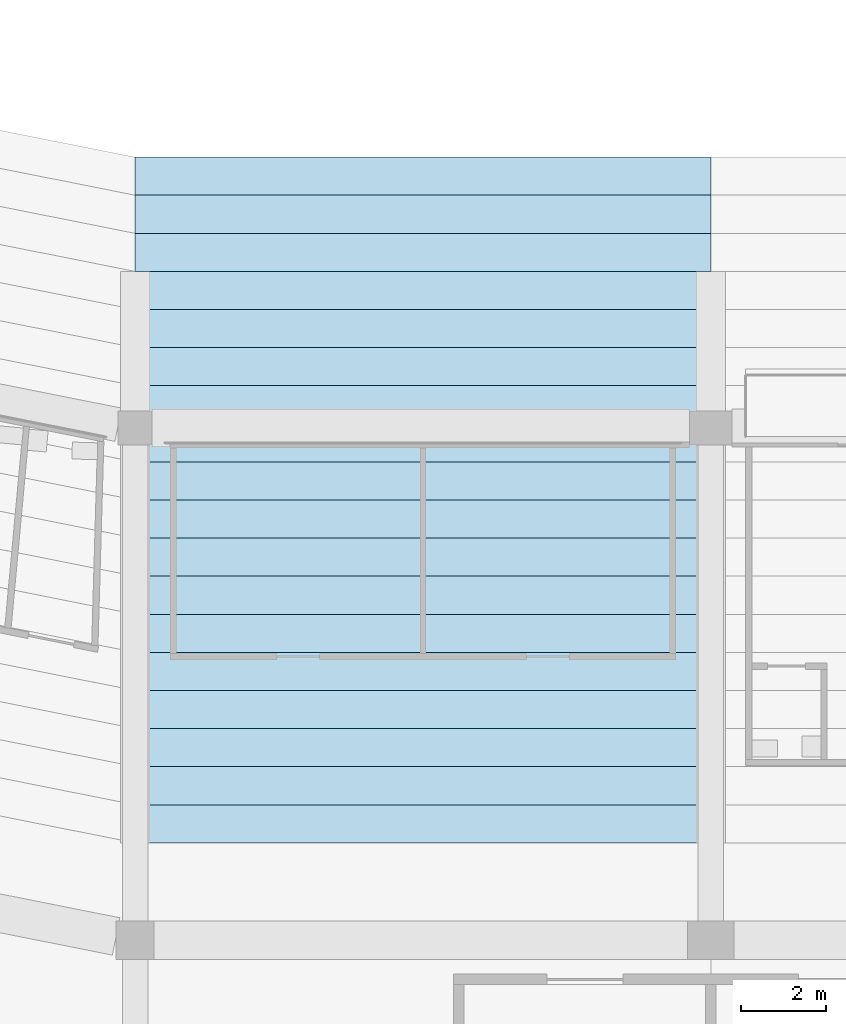
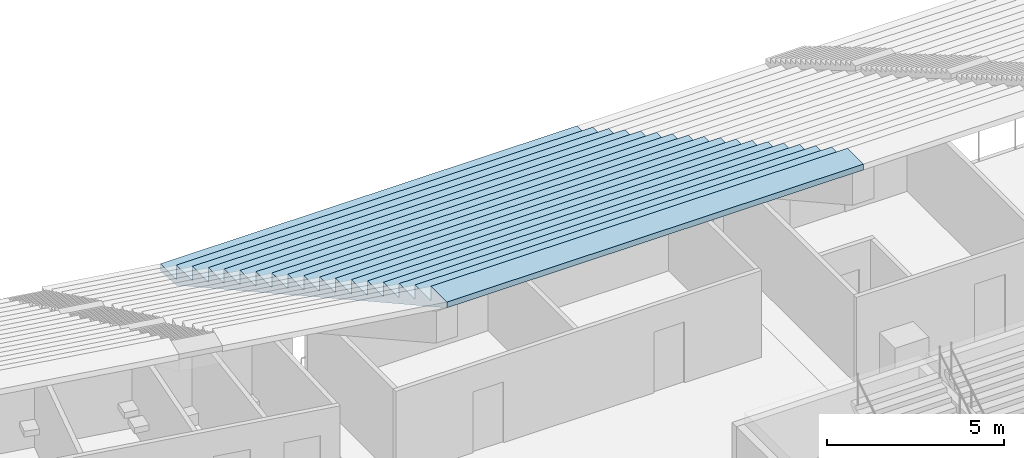
# One storey, part 115 of 249: 1 slab.
"""IFC4 building model written with IfcOpenShell, lengths in metres."""

import ifcopenshell
import ifcopenshell.guid

model = None  # the IFC model being written
_history = None  # IfcOwnerHistory: only IFC2X3 demands one
_inside = {}  # id of a spatial element -> (the spatial element, [elements in it])
_under = {}  # id of a project, library or spatial element -> (it, [spatial elements below it])
_declared = {}  # id of a project -> (the project, [libraries it declares])
_typed = {}  # id of a type object -> (the type object, [elements of that type])
_made_of = {}  # id of a material, layer set ... -> (it, [elements and type objects made of it])


def new_model(schema):
    """Start an empty IFC model of exactly this schema.

    Asked for "IFC4X3", IfcOpenShell would pick the latest addendum, in which some entities
    have other attributes; the version numbers below select the first issue.
    IFC2X3 requires an IfcOwnerHistory on every rooted entity: one is made here for all.
    """
    global model, _history
    if schema == "IFC4X3":
        model = ifcopenshell.file(schema_version=(4, 3, 0, 0))
    else:
        model = ifcopenshell.file(schema=schema)
    _inside.clear()
    _under.clear()
    _declared.clear()
    _typed.clear()
    _made_of.clear()
    _history = None
    if model.schema == "IFC2X3":
        org = make("IfcOrganization", Name="unknown")
        user = make(
            "IfcPersonAndOrganization",
            ThePerson=make("IfcPerson", FamilyName="unknown"),
            TheOrganization=org,
        )
        app = make(
            "IfcApplication",
            ApplicationDeveloper=org,
            Version="unknown",
            ApplicationFullName="unknown",
            ApplicationIdentifier="unknown",
        )
        _history = make(
            "IfcOwnerHistory",
            OwningUser=user,
            OwningApplication=app,
            ChangeAction="ADDED",
            CreationDate=0,
        )
    return model


def make(cls, **values):
    """One entity of the class cls with the attributes given. An attribute that is None is left unset."""
    return model.create_entity(
        cls, **{name: value for name, value in values.items() if value is not None}
    )


def rooted(cls, **values):
    """An entity with a GlobalId (a new one), such as an element, a storey or a relation."""
    return make(cls, GlobalId=ifcopenshell.guid.new(), OwnerHistory=_history, **values)


def si_unit(unit_type, name, prefix=None):
    """IfcSIUnit, for example si_unit("LENGTHUNIT", "METRE", prefix="MILLI")."""
    return make("IfcSIUnit", UnitType=unit_type, Prefix=prefix, Name=name)


def assignment(units):
    """IfcUnitAssignment: the units of a project."""
    return None if units is None else make("IfcUnitAssignment", Units=units)


def point(xyz):
    """IfcCartesianPoint."""
    return None if xyz is None else make("IfcCartesianPoint", Coordinates=xyz)


def direction(xyz):
    """IfcDirection."""
    return None if xyz is None else make("IfcDirection", DirectionRatios=xyz)


def frame(location, z_axis=None, x_axis=None):
    """IfcAxis2Placement3D, a coordinate frame: its origin and axes. An axis left out is left unset."""
    return make(
        "IfcAxis2Placement3D",
        Location=point(location),
        Axis=direction(z_axis),
        RefDirection=direction(x_axis),
    )


def origin():
    """The frame at (0, 0, 0) with its axes left unset."""
    return frame((0.0, 0.0, 0.0))


def place(relative_to, where):
    """IfcLocalPlacement: puts the frame where relative to a parent placement (None: the world)."""
    return make(
        "IfcLocalPlacement", PlacementRelTo=relative_to, RelativePlacement=where
    )


def context(
    kind, dimensions, precision=None, world=None, true_north=None, identifier=None
):
    """IfcGeometricRepresentationContext, for example the 3D "Model" context."""
    return make(
        "IfcGeometricRepresentationContext",
        ContextIdentifier=identifier,
        ContextType=kind,
        CoordinateSpaceDimension=dimensions,
        Precision=precision,
        WorldCoordinateSystem=world,
        TrueNorth=true_north,
    )


def subcontext(parent, identifier, kind, view, scale=None):
    """IfcGeometricRepresentationSubContext, for example "Body" below "Model"."""
    return make(
        "IfcGeometricRepresentationSubContext",
        ContextIdentifier=identifier,
        ContextType=kind,
        ParentContext=parent,
        TargetScale=scale,
        TargetView=view,
    )


def project(units=None, contexts=None):
    """IfcProject with its units and contexts."""
    return rooted(
        "IfcProject",
        Name="project",
        RepresentationContexts=contexts,
        UnitsInContext=assignment(units),
    )


def spatial(cls, under=None, at=None, **own):
    """A site, building, storey or space (cls), placed at a placement, below another one or the project."""
    s = rooted(cls, ObjectPlacement=at, **own)
    if under is not None:
        _under.setdefault(under.id(), (under, []))[1].append(s)
    return s


def faces_of(points, faces, orient=None, outer=None):
    """IfcFace entities. A face is a list of loops; a loop is a list of indices into points, from 0.

    orient and outer hold one flag for each loop. By default every Orientation is true, the
    first loop of a face is its IfcFaceOuterBound and the others are IfcFaceBound.
    """
    made = []
    for i, loops in enumerate(faces):
        bounds = []
        for j, loop in enumerate(loops):
            is_outer = j == 0 if outer is None else outer[i][j]
            bounds.append(
                make(
                    "IfcFaceOuterBound" if is_outer else "IfcFaceBound",
                    Bound=make("IfcPolyLoop", Polygon=[points[k] for k in loop]),
                    Orientation=True if orient is None else orient[i][j],
                )
            )
        made.append(make("IfcFace", Bounds=bounds))
    return made


def faceted_brep(points, faces, orient=None, outer=None, voids=None):
    """IfcFacetedBrep: a solid bounded by flat faces; with voids (closed shells), ...WithVoids."""
    shared = [point(p) for p in points]
    hull = make("IfcClosedShell", CfsFaces=faces_of(shared, faces, orient, outer))
    if voids is None:
        return make("IfcFacetedBrep", Outer=hull)
    return make(
        "IfcFacetedBrepWithVoids",
        Outer=hull,
        Voids=[
            make(cls, CfsFaces=faces_of(shared, fs, o, b)) for cls, fs, o, b in voids
        ],
    )


def shape(context_of_items, identifier, shape_type, items):
    """IfcShapeRepresentation: the items that make up one representation, for example the "Body"."""
    return make(
        "IfcShapeRepresentation",
        ContextOfItems=context_of_items,
        RepresentationIdentifier=identifier,
        RepresentationType=shape_type,
        Items=items,
    )


def material(Name=None, Category=None):
    """IfcMaterial."""
    return make("IfcMaterial", Name=Name, Category=Category)


def layer(
    of_material, thickness, ventilated=None, Name=None, Category=None, Priority=None
):
    """IfcMaterialLayer: one layer of a wall or slab, of a material (None: an air gap)."""
    return make(
        "IfcMaterialLayer",
        Material=of_material,
        LayerThickness=thickness,
        IsVentilated=ventilated,
        Name=Name,
        Category=Category,
        Priority=Priority,
    )


def layer_set(layers, Name=None):
    """IfcMaterialLayerSet."""
    return make("IfcMaterialLayerSet", MaterialLayers=layers, LayerSetName=Name)


def made_of(thing, what):
    """Note that an element or type object is made of a material, layer set ...; save() writes the relation."""
    if what is not None:
        _made_of.setdefault(what.id(), (what, []))[1].append(thing)
    return thing


def type_object(cls, material=None, **own):
    """A type object (cls), such as IfcWallType, which elements share."""
    return made_of(rooted(cls, **own), material)


def element(
    cls,
    number,
    at=None,
    inside=None,
    cuts=None,
    type_object=None,
    material=None,
    context=None,
    identifier="Body",
    shape_type=None,
    held_by="IfcProductDefinitionShape",
    body=None,
    shapes=None,
    **own,
):
    """One element of the class cls, such as IfcWall. Its Tag is "e" and its number.

    at: its placement. inside: the storey or other place that contains it. cuts: it is an
    opening in that element (IfcRelVoidsElement). A single representation is given by context,
    identifier, shape_type and body (its items); several are given by shapes. held_by: the class
    of the entity that holds the representations. save() writes the other relations.
    """
    e = rooted(cls, Tag="e%d" % number, ObjectPlacement=at, **own)
    if body is not None:
        shapes = [shape(context, identifier, shape_type, body)]
    if shapes is not None:
        e.Representation = make(held_by, Representations=shapes)
    if inside is not None:
        _inside.setdefault(inside.id(), (inside, []))[1].append(e)
    if cuts is not None:
        rooted(
            "IfcRelVoidsElement", RelatingBuildingElement=cuts, RelatedOpeningElement=e
        )
    if type_object is not None:
        _typed.setdefault(type_object.id(), (type_object, []))[1].append(e)
    return made_of(e, material)


def aggregate(whole, parts):
    """IfcRelAggregates: a whole, such as a stair, and the parts it consists of."""
    return rooted("IfcRelAggregates", RelatingObject=whole, RelatedObjects=parts)


def save(model, path):
    """Write the relations noted so far, then the file.

    IfcRelAggregates (storeys below a building ...), IfcRelContainedInSpatialStructure (elements
    in a storey), IfcRelDefinesByType, IfcRelAssociatesMaterial and IfcRelDeclares: one each for
    every whole, place, type object, material and project.
    """
    for whole, parts in _under.values():
        aggregate(whole, parts)
    for where, things in _inside.values():
        rooted(
            "IfcRelContainedInSpatialStructure",
            RelatedElements=things,
            RelatingStructure=where,
        )
    for kind, things in _typed.values():
        rooted("IfcRelDefinesByType", RelatedObjects=things, RelatingType=kind)
    for what, things in _made_of.values():
        rooted("IfcRelAssociatesMaterial", RelatedObjects=things, RelatingMaterial=what)
    for by, libraries in _declared.values():
        rooted("IfcRelDeclares", RelatingContext=by, RelatedDefinitions=libraries)
    model.write(path)


model = new_model("IFC4")

# Units and contexts
model_context = context("Model", 3, precision=1e-05, world=origin(), true_north=direction((0.0, 1.0)))
body_context = subcontext(model_context, "Body", "Model", "MODEL_VIEW")
ifc_project = project(units=[si_unit("LENGTHUNIT", "METRE"), si_unit("AREAUNIT", "SQUARE_METRE"), si_unit("VOLUMEUNIT", "CUBIC_METRE"), si_unit("PLANEANGLEUNIT", "RADIAN"), si_unit("MASSUNIT", "GRAM", prefix="KILO")], contexts=[model_context])

# Site, building, storey
site_placement = place(None, origin())
site = spatial("IfcSite", under=ifc_project, at=site_placement, CompositionType="ELEMENT")
building_placement = place(site_placement, origin())
building = spatial("IfcBuilding", under=site, at=building_placement, Name="Ogive Plaza Stadium", CompositionType="ELEMENT")
storey_placement = place(building_placement, frame((0.0, 0.0, 13.5)))
storey = spatial("IfcBuildingStorey", under=building, at=storey_placement, Name="L03", CompositionType="ELEMENT", Elevation=13.5)

# Slab
ifc_material = material(Name="Concrete C45/55 precast", Category="concrete")
ifc_layer = layer(ifc_material, 0.699951171875)
ifc_layer_set = layer_set([ifc_layer], Name="Concrete C45/55 precast")
slab_type = type_object("IfcSlabType", Name="Seating tier UT 700", PredefinedType="USERDEFINED", material=ifc_layer_set)
slab_placement = place(storey_placement, origin())
element("IfcSlab", 1, at=slab_placement, inside=storey, type_object=slab_type, Name="Stand UT B16", ObjectType="SEATING TIER", PredefinedType="USERDEFINED", context=body_context, shape_type="Brep", body=[
    faceted_brep([(-34.0, -74.0, 0.5), (-34.0, -74.89990234375, 0.5), (-20.39990234375, -74.89990234375, 0.5), (-20.39990234375, -74.0, 0.5), (-34.0, -74.89990234375, 0.300048828125), (-20.39990234375, -74.0, 0.25), (-20.39990234375, -74.89990234375, 0.300048828125), (-34.0, -74.0, 0.25), (-20.39990234375, -74.89990234375, 1.0), (-34.0, -74.89990234375, 1.0), (-20.39990234375, -75.800048828125, 1.0), (-20.39990234375, -75.800048828125, 0.800048828125), (-20.39990234375, -75.800048828125, 1.5), (-20.39990234375, -76.699951171875, 1.5), (-20.39990234375, -76.699951171875, 1.300048828125), (-20.39990234375, -76.699951171875, 2.0), (-20.39990234375, -77.60009765625, 2.0), (-20.39990234375, -77.60009765625, 1.800048828125), (-20.39990234375, -77.60009765625, 2.5), (-20.39990234375, -78.5, 2.5), (-20.39990234375, -78.5, 2.300048828125), (-20.39990234375, -78.5, 3.0), (-20.39990234375, -79.39990234375, 3.0), (-20.39990234375, -79.39990234375, 2.800048828125), (-20.39990234375, -79.39990234375, 3.5), (-20.39990234375, -80.300048828125, 3.5), (-20.39990234375, -80.300048828125, 3.300048828125), (-20.39990234375, -80.300048828125, 4.0), (-20.39990234375, -81.199951171875, 4.0), (-20.39990234375, -81.199951171875, 3.800048828125), (-20.39990234375, -81.199951171875, 4.5), (-20.39990234375, -82.10009765625, 4.5), (-20.39990234375, -82.10009765625, 4.300048828125), (-20.39990234375, -82.10009765625, 5.0), (-20.39990234375, -83.0, 5.0), (-20.39990234375, -83.0, 4.800048828125), (-20.39990234375, -83.0, 5.5), (-20.39990234375, -83.89990234375, 5.5), (-20.39990234375, -83.89990234375, 5.300048828125), (-20.39990234375, -83.89990234375, 6.0), (-20.39990234375, -84.800048828125, 6.0), (-20.39990234375, -84.800048828125, 5.800048828125), (-20.39990234375, -84.800048828125, 6.5), (-20.39990234375, -85.699951171875, 6.5), (-20.39990234375, -85.699951171875, 6.300048828125), (-20.39990234375, -85.699951171875, 7.0), (-20.39990234375, -86.60009765625, 7.0), (-20.39990234375, -86.60009765625, 6.800048828125), (-20.39990234375, -86.60009765625, 7.5), (-20.39990234375, -87.5, 7.5), (-20.39990234375, -87.5, 7.300048828125), (-20.39990234375, -87.5, 8.0), (-20.39990234375, -88.39990234375, 8.0), (-20.39990234375, -88.39990234375, 7.800048828125), (-20.39990234375, -88.39990234375, 8.5), (-20.39990234375, -89.300048828125, 8.5), (-20.39990234375, -89.300048828125, 8.300048828125), (-20.39990234375, -89.300048828125, 9.0), (-20.39990234375, -90.199951171875, 9.0), (-20.39990234375, -90.199951171875, 8.800048828125), (-34.0, -75.800048828125, 1.0), (-34.0, -75.800048828125, 0.800048828125), (-34.0, -76.699951171875, 1.5), (-34.0, -75.800048828125, 1.5), (-34.0, -76.699951171875, 1.300048828125), (-34.0, -77.60009765625, 2.0), (-34.0, -76.699951171875, 2.0), (-34.0, -77.60009765625, 1.800048828125), (-34.0, -78.5, 2.5), (-34.0, -77.60009765625, 2.5), (-34.0, -78.5, 2.300048828125), (-34.0, -79.39990234375, 3.0), (-34.0, -78.5, 3.0), (-34.0, -79.39990234375, 2.800048828125), (-34.0, -80.300048828125, 3.5), (-34.0, -79.39990234375, 3.5), (-34.0, -80.300048828125, 3.300048828125), (-34.0, -81.199951171875, 4.0), (-34.0, -80.300048828125, 4.0), (-34.0, -81.199951171875, 3.800048828125), (-34.0, -82.10009765625, 4.5), (-34.0, -81.199951171875, 4.5), (-34.0, -82.10009765625, 4.300048828125), (-34.0, -83.0, 5.0), (-34.0, -82.10009765625, 5.0), (-34.0, -83.0, 4.800048828125), (-34.0, -83.89990234375, 5.5), (-34.0, -83.0, 5.5), (-34.0, -83.89990234375, 5.300048828125), (-34.0, -84.800048828125, 6.0), (-34.0, -83.89990234375, 6.0), (-34.0, -84.800048828125, 5.800048828125), (-34.0, -85.699951171875, 6.5), (-34.0, -84.800048828125, 6.5), (-34.0, -85.699951171875, 6.300048828125), (-34.0, -86.60009765625, 7.0), (-34.0, -85.699951171875, 7.0), (-34.0, -86.60009765625, 6.800048828125), (-34.0, -87.5, 7.5), (-34.0, -86.60009765625, 7.5), (-34.0, -87.5, 7.300048828125), (-34.0, -88.39990234375, 8.0), (-34.0, -87.5, 8.0), (-34.0, -88.39990234375, 7.800048828125), (-34.0, -89.300048828125, 8.5), (-34.0, -88.39990234375, 8.5), (-34.0, -89.300048828125, 8.300048828125), (-34.0, -90.199951171875, 9.0), (-34.0, -89.300048828125, 9.0), (-34.0, -90.199951171875, 8.800048828125)], [[[0, 1, 2]], [[2, 3, 0]], [[4, 5, 6]], [[4, 7, 5]], [[8, 2, 1]], [[1, 9, 8]], [[6, 5, 3]], [[6, 3, 2]], [[2, 8, 10]], [[10, 11, 6]], [[6, 2, 10]], [[10, 12, 13]], [[13, 14, 11]], [[11, 10, 13]], [[13, 15, 16]], [[16, 17, 14]], [[14, 13, 16]], [[16, 18, 19]], [[19, 20, 17]], [[17, 16, 19]], [[19, 21, 22]], [[22, 23, 20]], [[20, 19, 22]], [[22, 24, 25]], [[25, 26, 23]], [[23, 22, 25]], [[25, 27, 28]], [[28, 29, 26]], [[26, 25, 28]], [[28, 30, 31]], [[31, 32, 29]], [[29, 28, 31]], [[31, 33, 34]], [[34, 35, 32]], [[32, 31, 34]], [[34, 36, 37]], [[37, 38, 35]], [[35, 34, 37]], [[37, 39, 40]], [[40, 41, 38]], [[38, 37, 40]], [[40, 42, 43]], [[43, 44, 41]], [[41, 40, 43]], [[43, 45, 46]], [[46, 47, 44]], [[44, 43, 46]], [[46, 48, 49]], [[49, 50, 47]], [[47, 46, 49]], [[49, 51, 52]], [[52, 53, 50]], [[50, 49, 52]], [[52, 54, 55]], [[55, 56, 53]], [[53, 52, 55]], [[55, 57, 58]], [[58, 59, 56]], [[56, 55, 58]], [[3, 5, 7]], [[7, 0, 3]], [[0, 7, 4]], [[4, 1, 0]], [[60, 9, 1]], [[1, 4, 61]], [[61, 60, 1]], [[62, 63, 60]], [[60, 61, 64]], [[64, 62, 60]], [[65, 66, 62]], [[62, 64, 67]], [[67, 65, 62]], [[68, 69, 65]], [[65, 67, 70]], [[70, 68, 65]], [[71, 72, 68]], [[68, 70, 73]], [[73, 71, 68]], [[74, 75, 71]], [[71, 73, 76]], [[76, 74, 71]], [[77, 78, 74]], [[74, 76, 79]], [[79, 77, 74]], [[80, 81, 77]], [[77, 79, 82]], [[82, 80, 77]], [[83, 84, 80]], [[80, 82, 85]], [[85, 83, 80]], [[86, 87, 83]], [[83, 85, 88]], [[88, 86, 83]], [[89, 90, 86]], [[86, 88, 91]], [[91, 89, 86]], [[92, 93, 89]], [[89, 91, 94]], [[94, 92, 89]], [[95, 96, 92]], [[92, 94, 97]], [[97, 95, 92]], [[98, 99, 95]], [[95, 97, 100]], [[100, 98, 95]], [[101, 102, 98]], [[98, 100, 103]], [[103, 101, 98]], [[104, 105, 101]], [[101, 103, 106]], [[106, 104, 101]], [[107, 108, 104]], [[104, 106, 109]], [[109, 107, 104]], [[9, 60, 10]], [[10, 8, 9]], [[61, 6, 11]], [[61, 4, 6]], [[64, 11, 14]], [[64, 61, 11]], [[67, 14, 17]], [[67, 64, 14]], [[70, 17, 20]], [[70, 67, 17]], [[73, 20, 23]], [[73, 70, 20]], [[76, 23, 26]], [[76, 73, 23]], [[79, 26, 29]], [[79, 76, 26]], [[82, 29, 32]], [[82, 79, 29]], [[85, 32, 35]], [[85, 82, 32]], [[88, 35, 38]], [[88, 85, 35]], [[91, 38, 41]], [[91, 88, 38]], [[94, 41, 44]], [[94, 91, 41]], [[97, 44, 47]], [[97, 94, 44]], [[100, 47, 50]], [[100, 97, 47]], [[12, 10, 60]], [[60, 63, 12]], [[63, 62, 13]], [[13, 12, 63]], [[15, 13, 62]], [[62, 66, 15]], [[66, 65, 16]], [[16, 15, 66]], [[18, 16, 65]], [[65, 69, 18]], [[69, 68, 19]], [[19, 18, 69]], [[21, 19, 68]], [[68, 72, 21]], [[72, 71, 22]], [[22, 21, 72]], [[24, 22, 71]], [[71, 75, 24]], [[75, 74, 25]], [[25, 24, 75]], [[27, 25, 74]], [[74, 78, 27]], [[78, 77, 28]], [[28, 27, 78]], [[30, 28, 77]], [[77, 81, 30]], [[81, 80, 31]], [[31, 30, 81]], [[33, 31, 80]], [[80, 84, 33]], [[84, 83, 34]], [[34, 33, 84]], [[36, 34, 83]], [[83, 87, 36]], [[87, 86, 37]], [[37, 36, 87]], [[39, 37, 86]], [[86, 90, 39]], [[90, 89, 40]], [[40, 39, 90]], [[42, 40, 89]], [[89, 93, 42]], [[93, 92, 43]], [[43, 42, 93]], [[45, 43, 92]], [[92, 96, 45]], [[96, 95, 46]], [[46, 45, 96]], [[48, 46, 95]], [[95, 99, 48]], [[99, 98, 49]], [[49, 48, 99]], [[51, 49, 98]], [[98, 102, 51]], [[102, 101, 52]], [[52, 51, 102]], [[103, 50, 53]], [[103, 100, 50]], [[106, 53, 56]], [[106, 103, 53]], [[109, 56, 59]], [[109, 106, 56]], [[54, 52, 101]], [[101, 105, 54]], [[105, 104, 55]], [[55, 54, 105]], [[57, 55, 104]], [[104, 108, 57]], [[108, 107, 58]], [[58, 57, 108]], [[107, 109, 59]], [[59, 58, 107]]]),
])

save(model, "model.ifc")
